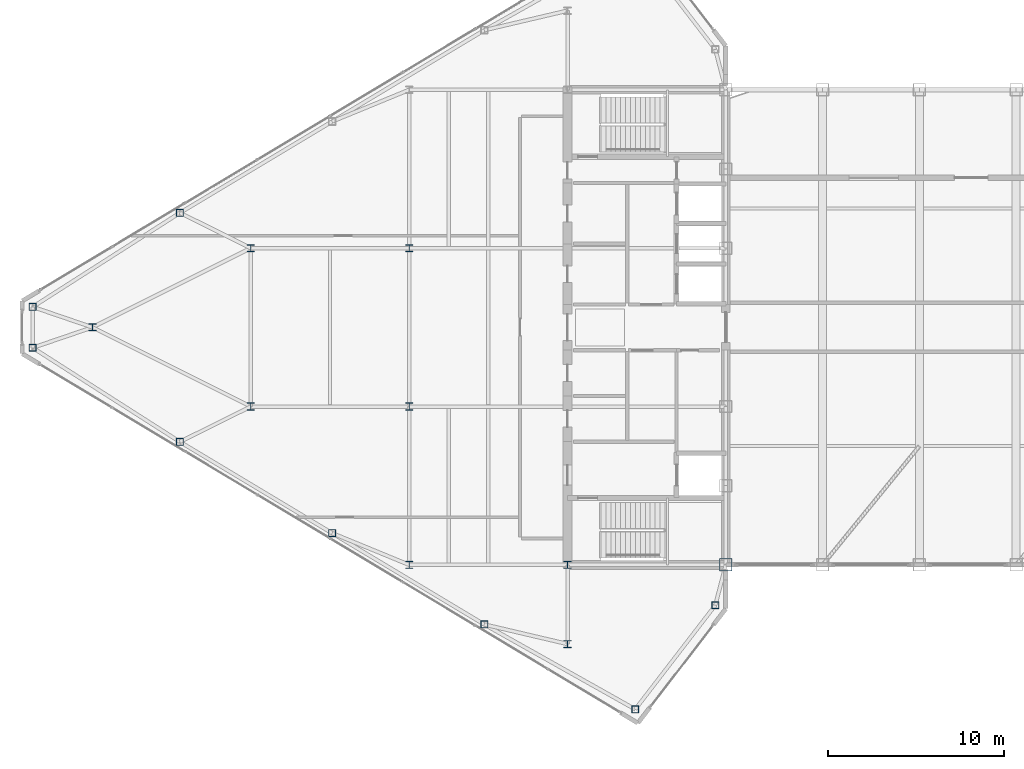
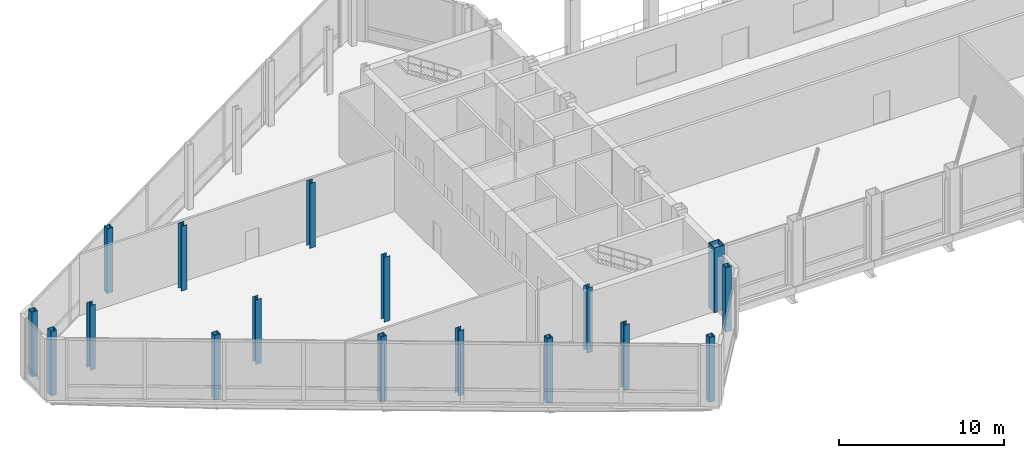
# One storey, part 1 of 28: 17 columns.
"""IFC4 building model written with IfcOpenShell, lengths in metres."""

from ifc_helpers import new_model, si_unit, direction, frame, origin, origin_2d, place, context, subcontext, project, spatial, hollow_rectangle, i_section, extrude, source, transform, mapped, material, material_profile, profile_set, type_object, type_shapes, element, save


model = new_model("IFC4")

# Units and contexts
model_context = context("Model", 3, precision=1e-05, world=origin(), true_north=direction((0.0, 1.0)))
body_context = subcontext(model_context, "Body", "Model", "MODEL_VIEW")
ifc_project = project(units=[si_unit("LENGTHUNIT", "METRE"), si_unit("AREAUNIT", "SQUARE_METRE"), si_unit("VOLUMEUNIT", "CUBIC_METRE"), si_unit("PLANEANGLEUNIT", "RADIAN"), si_unit("MASSUNIT", "GRAM", prefix="KILO")], contexts=[model_context])

# Site, building, storey
site_placement = place(None, origin())
site = spatial("IfcSite", under=ifc_project, at=site_placement, CompositionType="ELEMENT")
building_placement = place(site_placement, origin())
building = spatial("IfcBuilding", under=site, at=building_placement, Name="Seokmaru Belvedere", CompositionType="ELEMENT")
storey_placement = place(building_placement, frame((0.0, 0.0, 274.199951171875)))
storey = spatial("IfcBuildingStorey", under=building, at=storey_placement, Name="L72", CompositionType="ELEMENT", Elevation=274.199951171875)

# Columns
ifc_material = material(Name="Steel SM355 (355 MPa)", Category="steel")
ifc_material_profile_1 = material_profile(ifc_material, hollow_rectangle(XDim=0.699951171875, YDim=0.699951171875, WallThickness=0.030029296875, at=origin_2d()), Name="BOX-700x700x30")
ifc_profile_set_1 = profile_set([ifc_material_profile_1], Name="Steel SM355 (355 MPa)")
column_type_1 = type_object("IfcColumnType", Name="Upper Spine Column BOX-700", PredefinedType="COLUMN", material=ifc_profile_set_1)
shared_shape_1 = source(origin(), body_context, "Body", "SweptSolid", [
    extrude(hollow_rectangle(XDim=0.699951171875, YDim=0.699951171875, WallThickness=0.030029296875, at=origin_2d()), origin(), (0.0, 0.0, 1.0), 4.800048828125),
])
type_shapes(column_type_1, [shared_shape_1])
column_placement = place(storey_placement, frame((-27.5, -13.5, 0.0), z_axis=(0.0, 0.0, 1.0), x_axis=(1.0, 0.0, 0.0)))
element("IfcColumn", 1, at=column_placement, inside=storey, type_object=column_type_1, Name="L72 Column WS1", PredefinedType="COLUMN", context=body_context, shape_type="MappedRepresentation", body=[
    mapped(shared_shape_1, transform((0.0, 0.0, 0.0), scale=1.0)),
])
ifc_material_profile_2 = material_profile(ifc_material, hollow_rectangle(XDim=0.39990234375, YDim=0.39990234375, WallThickness=0.01611328125, at=origin_2d()), Name="HSS-400x400x16")
ifc_profile_set_2 = profile_set([ifc_material_profile_2], Name="Steel SM355 (355 MPa)")
column_type_2 = type_object("IfcColumnType", Name="Perimeter Facet Column HSS-400", PredefinedType="COLUMN", material=ifc_profile_set_2)
shared_shape_2 = source(origin(), body_context, "Body", "SweptSolid", [
    extrude(hollow_rectangle(XDim=0.39990234375, YDim=0.39990234375, WallThickness=0.01611328125, at=origin_2d()), origin(), (0.0, 0.0, 1.0), 4.800048828125),
])
type_shapes(column_type_2, [shared_shape_2])
for number, where, z_axis, x_axis, name in (
    (2, (-28.10009765625, -15.7958984375, 0.0), (0.0, 0.0, 1.0), (1.0, 0.0, 0.0), "L72 Column WF1"),
    (3, (-66.89990234375, 1.160400390625, 0.0), (0.0, 0.0, 1.0), (1.0, 0.0, 0.0), "L72 Column WF4"),
    (4, (-66.89990234375, -1.160400390625, 0.0), (0.0, 0.0, 1.0), (1.0, 0.0, 0.0), "L72 Column WF5"),
    (5, (-32.649658203125, -21.71044921875, 0.0), (0.0, 0.0, 1.0), (1.0, 0.0, 0.0), "L72 Column WF6"),
    (6, (-41.229736328125, -16.888916015625, 0.0), (0.0, 0.0, 1.0), (1.0, 0.0, 0.0), "L72 Column WFLK_S1"),
    (7, (-49.8798828125, -11.698974609375, 0.0), (0.0, 0.0, 1.0), (1.0, 0.0, 0.0), "L72 Column WFLK_S2"),
    (8, (-58.530029296875, -6.5087890625, 0.0), (0.0, 0.0, 1.0), (1.0, 0.0, 0.0), "L72 Column WFLK_S3"),
    (9, (-58.530029296875, 6.5087890625, 0.0), (0.0, 0.0, 1.0), (1.0, 0.0, 0.0), "L72 Column WFLK_N3"),
):
    element("IfcColumn", number, at=place(storey_placement, frame(where, z_axis=z_axis, x_axis=x_axis)), inside=storey, type_object=column_type_2, Name=name, PredefinedType="COLUMN", context=body_context, shape_type="MappedRepresentation", body=[
        mapped(shared_shape_2, transform((0.0, 0.0, 0.0), scale=1.0)),
    ])
ifc_material_profile_3 = material_profile(ifc_material, i_section(OverallWidth=0.39990234375, OverallDepth=0.39990234375, WebThickness=0.012939453125, FlangeThickness=0.02099609375, at=origin_2d()), Name="H-400x400x13x21")
ifc_profile_set_3 = profile_set([ifc_material_profile_3], Name="Steel SM355 (355 MPa)")
column_type_3 = type_object("IfcColumnType", Name="Observatory Column H-400", PredefinedType="COLUMN", material=ifc_profile_set_3)
shared_shape_3 = source(origin(), body_context, "Body", "SweptSolid", [
    extrude(i_section(OverallWidth=0.39990234375, OverallDepth=0.39990234375, WebThickness=0.012939453125, FlangeThickness=0.02099609375, at=origin_2d()), origin(), (0.0, 0.0, 1.0), 4.800048828125),
])
type_shapes(column_type_3, [shared_shape_3])
for number, where, z_axis, x_axis, name in (
    (10, (-36.5, -18.0, 0.0), (0.0, 0.0, 1.0), (1.0, 0.0, 0.0), "L72 Column WC1"),
    (11, (-36.5, -13.5, 0.0), (0.0, 0.0, 1.0), (1.0, 0.0, 0.0), "L72 Column WC2"),
    (12, (-45.5, -13.5, 0.0), (0.0, 0.0, 1.0), (1.0, 0.0, 0.0), "L72 Column WG5_1"),
    (13, (-45.5, -4.5, 0.0), (0.0, 0.0, 1.0), (1.0, 0.0, 0.0), "L72 Column WG5_2"),
    (14, (-45.5, 4.5, 0.0), (0.0, 0.0, 1.0), (1.0, 0.0, 0.0), "L72 Column WG5_3"),
    (15, (-54.5, -4.5, 0.0), (0.0, 0.0, 1.0), (1.0, 0.0, 0.0), "L72 Column WG4P_1"),
    (16, (-54.5, 4.5, 0.0), (0.0, 0.0, 1.0), (1.0, 0.0, 0.0), "L72 Column WG4P_2"),
    (17, (-63.5, 0.0, 0.0), (0.0, 0.0, 1.0), (1.0, 0.0, 0.0), "L72 Column WG3P_1"),
):
    element("IfcColumn", number, at=place(storey_placement, frame(where, z_axis=z_axis, x_axis=x_axis)), inside=storey, type_object=column_type_3, Name=name, PredefinedType="COLUMN", context=body_context, shape_type="MappedRepresentation", body=[
        mapped(shared_shape_3, transform((0.0, 0.0, 0.0), scale=1.0)),
    ])

save(model, "model.ifc")
